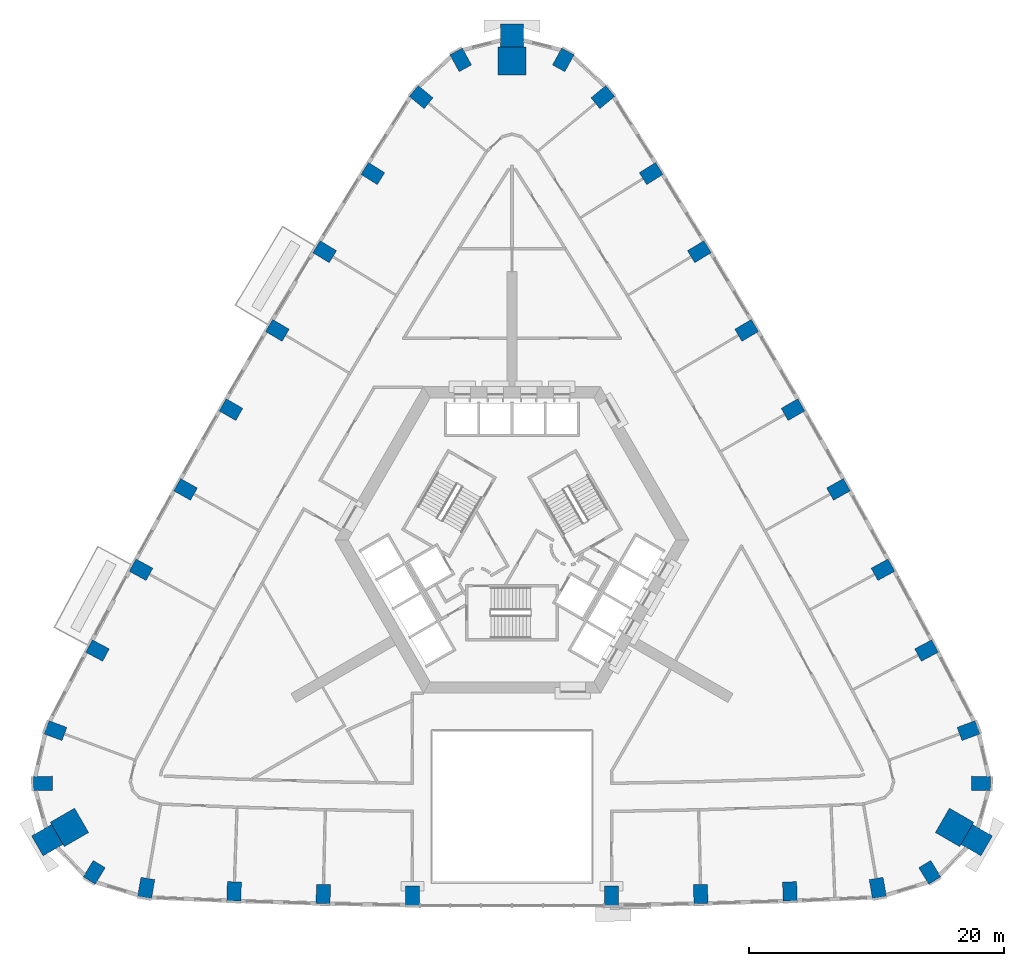
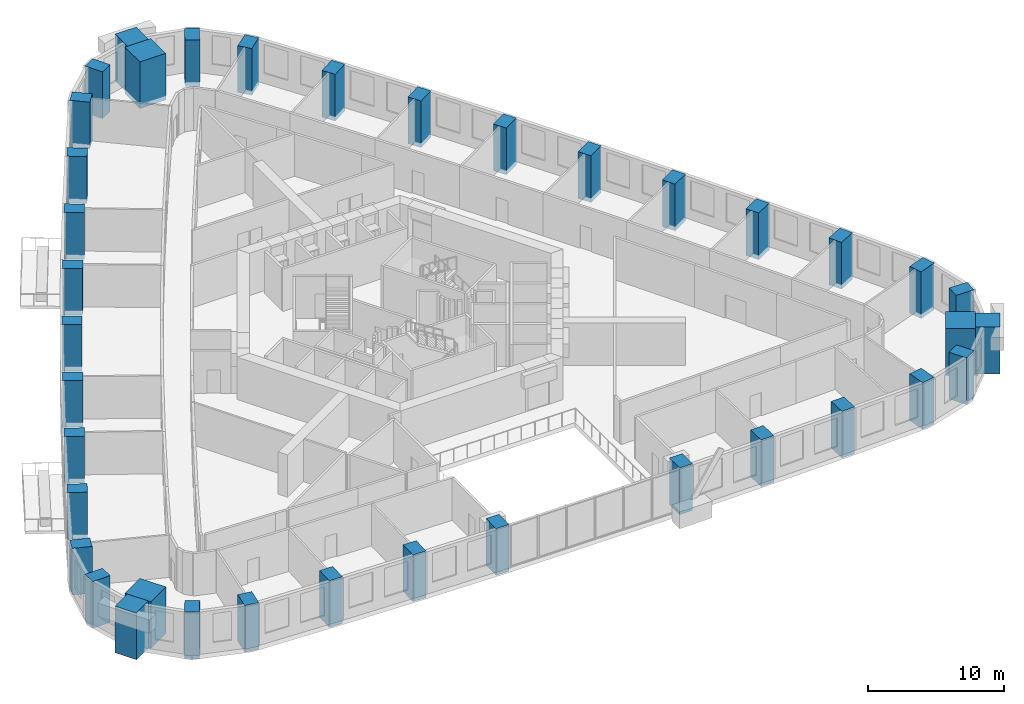
# One storey, part 1 of 16: 38 columns.
"""IFC4 building model written with IfcOpenShell, lengths in metres."""

from ifc_helpers import new_model, si_unit, direction, frame, origin, origin_2d, place, context, subcontext, project, spatial, rectangle, extrude, material, material_profile, profile_set, type_object, element, save


model = new_model("IFC4")

# Units and contexts
model_context = context("Model", 3, precision=1e-05, world=origin(), true_north=direction((0.0, 1.0)))
body_context = subcontext(model_context, "Body", "Model", "MODEL_VIEW")
ifc_project = project(units=[si_unit("LENGTHUNIT", "METRE"), si_unit("AREAUNIT", "SQUARE_METRE"), si_unit("VOLUMEUNIT", "CUBIC_METRE"), si_unit("PLANEANGLEUNIT", "RADIAN"), si_unit("MASSUNIT", "GRAM", prefix="KILO")], contexts=[model_context])

# Site, building, storey
site_placement = place(None, origin())
site = spatial("IfcSite", under=ifc_project, at=site_placement, CompositionType="ELEMENT")
building_placement = place(site_placement, origin())
building = spatial("IfcBuilding", under=site, at=building_placement, Name="Entoto Arch Interchange Tower", CompositionType="ELEMENT")
storey_placement = place(building_placement, frame((0.0, 0.0, 95.0)))
storey = spatial("IfcBuildingStorey", under=building, at=storey_placement, Name="L20", CompositionType="ELEMENT", Elevation=95.0)

# Columns
ifc_material_1 = material(Name="Concrete C60/75", Category="concrete")
ifc_material_profile_1 = material_profile(ifc_material_1, rectangle(XDim=1.10009765625, YDim=1.5, at=origin_2d()))
ifc_profile_set_1 = profile_set([ifc_material_profile_1], Name="Concrete C60/75")
column_type_1 = type_object("IfcColumnType", Name="Column RC 1100x1500 C60/75", PredefinedType="COLUMN", material=ifc_profile_set_1)
for number, where, z_axis, x_axis, name in (
    (1, (-28.633056640625, -24.739990234375, -0.39990234375), (0.0, 0.0, 1.0), (-0.985759288085, 0.168162498658, 0.0), "Column S01 L20"),
    (2, (-21.757080078125, -25.014892578125, -0.39990234375), (0.0, 0.0, 1.0), (-0.999373652571, 0.035387887008, 0.0), "Column S02 L20"),
    (3, (-14.77294921875, -25.221923828125, -0.39990234375), (0.0, 0.0, 1.0), (-0.999711216939, 0.024030870297, 0.0), "Column S03 L20"),
    (4, (-7.7919921875, -25.35107421875, -0.39990234375), (0.0, 0.0, 1.0), (-0.999958020206, 0.009162850353, 0.0), "Column S04 L20"),
    (5, (7.7919921875, -25.35107421875, -0.39990234375), (0.0, 0.0, 1.0), (0.999958020206, 0.009162850353, 0.0), "Column S05 L20"),
    (6, (14.77294921875, -25.221923828125, -0.39990234375), (0.0, 0.0, 1.0), (0.999711216939, 0.024030870297, 0.0), "Column S06 L20"),
    (7, (21.757080078125, -25.014892578125, -0.39990234375), (0.0, 0.0, 1.0), (0.999373652571, 0.035387887008, 0.0), "Column S07 L20"),
    (8, (28.633056640625, -24.739990234375, -0.39990234375), (0.0, 0.0, 1.0), (0.985759288085, 0.168162498658, 0.0), "Column S08 L20"),
    (9, (32.702880859375, -23.51611328125, -0.39990234375), (0.0, 0.0, 1.0), (0.854095929175, 0.520115510024, 0.0), "Column SE1 L20"),
    (10, (36.717041015625, -16.56396484375, -0.39990234375), (0.0, 0.0, 1.0), (0.023385279996, 0.999726526946, 0.0), "Column SE3 L20"),
    (11, (35.740966796875, -12.427001953125, -0.39990234375), (0.0, 0.0, 1.0), (-0.347312116358, 0.937749590152, 0.0), "Column NE01 L20"),
    (12, (32.448974609375, -6.159912109375, -0.39990234375), (0.0, 0.0, 1.0), (-0.469332863911, 0.883021326386, 0.0), "Column NE02 L20"),
    (13, (29.0390625, 0.1669921875, -0.39990234375), (0.0, 0.0, 1.0), (-0.479611016922, 0.87748120917, 0.0), "Column NE03 L20"),
    (14, (25.553955078125, 6.4541015625, -0.39990234375), (0.0, 0.0, 1.0), (-0.489838999048, 0.87181291285, 0.0), "Column NE04 L20"),
    (15, (21.9970703125, 12.699951171875, -0.39990234375), (0.0, 0.0, 1.0), (-0.5, 0.866025403784, 0.0), "Column NE05 L20"),
    (16, (18.366943359375, 18.904052734375, -0.39990234375), (0.0, 0.0, 1.0), (-0.510092630351, 0.860119473365, 0.0), "Column NE06 L20"),
    (17, (14.6640625, 25.06494140625, -0.39990234375), (0.0, 0.0, 1.0), (-0.520115510024, 0.854095929175, 0.0), "Column NE07 L20"),
    (18, (10.889892578125, 31.181884765625, -0.39990234375), (0.0, 0.0, 1.0), (-0.530067268476, 0.847955594881, 0.0), "Column NE08 L20"),
    (19, (7.10888671875, 37.166015625, -0.39990234375), (0.0, 0.0, 1.0), (-0.638458909281, 0.769655910885, 0.0), "Column NE09 L20"),
    (20, (4.013916015625, 40.0791015625, -0.39990234375), (0.0, 0.0, 1.0), (-0.87748120917, 0.479611016922, 0.0), "Column N1 L20"),
    (21, (-4.013916015625, 40.0791015625, -0.39990234375), (0.0, 0.0, 1.0), (0.87748120917, 0.479611016922, 0.0), "Column N3 L20"),
    (22, (-7.10888671875, 37.166015625, -0.39990234375), (0.0, 0.0, 1.0), (0.638458909281, 0.769655910885, 0.0), "Column NW01 L20"),
    (23, (-10.889892578125, 31.181884765625, -0.39990234375), (0.0, 0.0, 1.0), (0.530067268476, 0.847955594881, 0.0), "Column NW02 L20"),
    (24, (-14.6640625, 25.06494140625, -0.39990234375), (0.0, 0.0, 1.0), (0.520115510024, 0.854095929175, 0.0), "Column NW03 L20"),
    (25, (-18.366943359375, 18.904052734375, -0.39990234375), (0.0, 0.0, 1.0), (0.510092630351, 0.860119473365, 0.0), "Column NW04 L20"),
    (26, (-21.9970703125, 12.699951171875, -0.39990234375), (0.0, 0.0, 1.0), (0.5, 0.866025403784, 0.0), "Column NW05 L20"),
    (27, (-25.553955078125, 6.4541015625, -0.39990234375), (0.0, 0.0, 1.0), (0.489838999048, 0.87181291285, 0.0), "Column NW06 L20"),
    (28, (-29.0390625, 0.1669921875, -0.39990234375), (0.0, 0.0, 1.0), (0.479611016922, 0.87748120917, 0.0), "Column NW07 L20"),
    (29, (-32.448974609375, -6.159912109375, -0.39990234375), (0.0, 0.0, 1.0), (0.469332863911, 0.883021326386, 0.0), "Column NW08 L20"),
    (30, (-35.740966796875, -12.427001953125, -0.39990234375), (0.0, 0.0, 1.0), (0.347312116358, 0.937749590152, 0.0), "Column NW09 L20"),
    (31, (-36.717041015625, -16.56396484375, -0.39990234375), (0.0, 0.0, 1.0), (-0.023385279996, 0.999726526946, 0.0), "Column SW1 L20"),
    (32, (-32.702880859375, -23.51611328125, -0.39990234375), (0.0, 0.0, 1.0), (-0.854095929175, 0.520115510024, 0.0), "Column SW3 L20"),
):
    element("IfcColumn", number, at=place(storey_placement, frame(where, z_axis=z_axis, x_axis=x_axis)), inside=storey, type_object=column_type_1, Name=name, PredefinedType="COLUMN", context=body_context, shape_type="SweptSolid", body=[
        extrude(rectangle(XDim=1.10009765625, YDim=1.5, at=origin_2d()), origin(), (0.0, 0.0, 1.0), 4.199951171875),
    ])
ifc_material_2 = material(Name="Precast concrete C40/50", Category="concrete")
ifc_material_profile_2 = material_profile(ifc_material_2, rectangle(XDim=1.800048828125, YDim=1.800048828125, at=origin_2d()))
ifc_profile_set_2 = profile_set([ifc_material_profile_2], Name="Precast concrete C40/50")
column_type_2 = type_object("IfcColumnType", Name="Frame post RC 1800x1800 precast C40/50", PredefinedType="COLUMN", material=ifc_profile_set_2)
for number, where, z_axis, x_axis, name in (
    (33, (36.376953125, -21.0029296875, -0.39990234375), (0.0, 0.0, 1.0), (-0.866025403784, 0.5, 0.0), "Frame post SE L20"),
    (34, (0.0, 42.0048828125, -0.39990234375), (0.0, 0.0, 1.0), (0.0, 1.0, 0.0), "Frame post N L20"),
    (35, (-36.376953125, -21.0029296875, -0.39990234375), (0.0, 0.0, 1.0), (0.866025403784, 0.5, 0.0), "Frame post SW L20"),
):
    element("IfcColumn", number, at=place(storey_placement, frame(where, z_axis=z_axis, x_axis=x_axis)), inside=storey, type_object=column_type_2, Name=name, PredefinedType="COLUMN", context=body_context, shape_type="SweptSolid", body=[
        extrude(rectangle(XDim=1.800048828125, YDim=1.800048828125, at=origin_2d()), origin(), (0.0, 0.0, 1.0), 4.199951171875),
    ])
ifc_material_profile_3 = material_profile(ifc_material_1, rectangle(XDim=2.199951171875, YDim=2.199951171875, at=origin_2d()))
ifc_profile_set_3 = profile_set([ifc_material_profile_3], Name="Concrete C60/75")
column_type_3 = type_object("IfcColumnType", Name="Mega column RC 2200x2200 C60/75", PredefinedType="COLUMN", material=ifc_profile_set_3)
for number, where, z_axis, x_axis, name in (
    (36, (34.64501953125, -20.0029296875, -0.39990234375), (0.0, 0.0, 1.0), (-0.866025403784, 0.5, 0.0), "Corner mega column SE2 L20"),
    (37, (0.0, 40.0048828125, -0.39990234375), (0.0, 0.0, 1.0), (0.0, 1.0, 0.0), "Corner mega column N2 L20"),
    (38, (-34.64501953125, -20.0029296875, -0.39990234375), (0.0, 0.0, 1.0), (0.866025403784, 0.5, 0.0), "Corner mega column SW2 L20"),
):
    element("IfcColumn", number, at=place(storey_placement, frame(where, z_axis=z_axis, x_axis=x_axis)), inside=storey, type_object=column_type_3, Name=name, PredefinedType="COLUMN", context=body_context, shape_type="SweptSolid", body=[
        extrude(rectangle(XDim=2.199951171875, YDim=2.199951171875, at=origin_2d()), origin(), (0.0, 0.0, 1.0), 4.199951171875),
    ])

save(model, "model.ifc")
